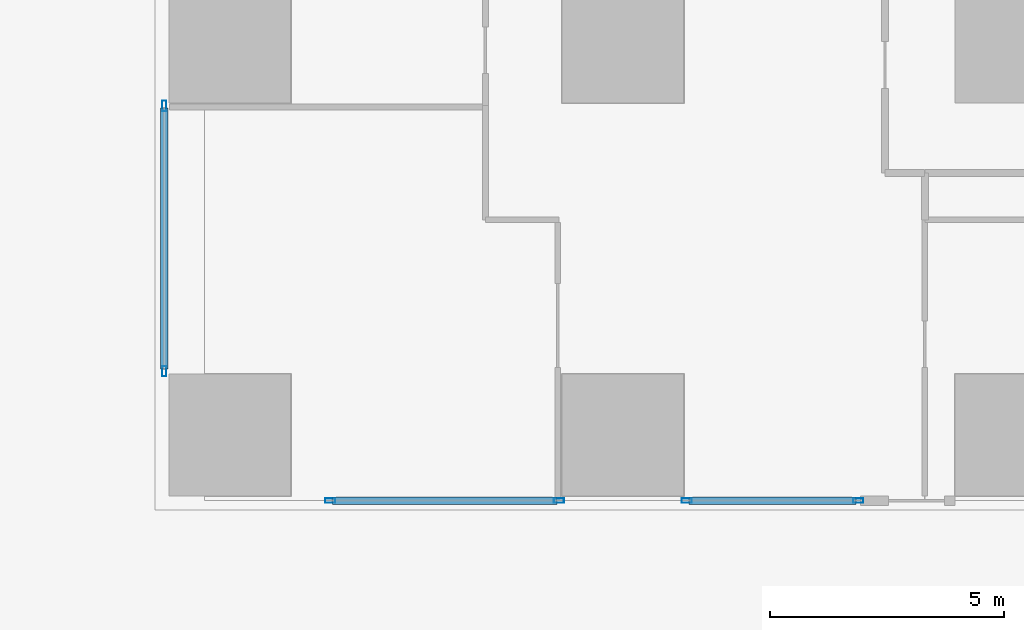
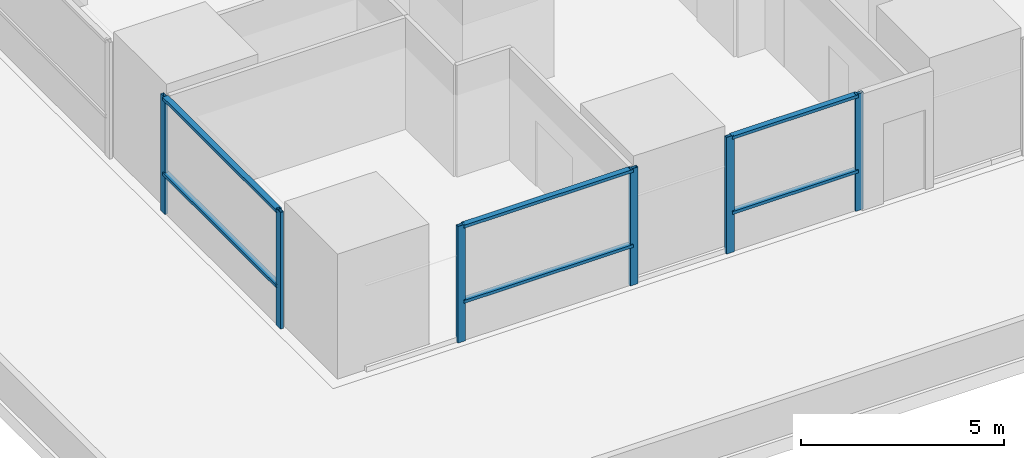
# One storey, part 2 of 35: 12 members, 3 elements without a shape of their own.
"""IFC4 building model written with IfcOpenShell, lengths in metres."""

from ifc_helpers import new_model, si_unit, direction, frame, origin, origin_2d, place, context, subcontext, project, spatial, hollow_rectangle, extrude, material, material_profile, profile_set, type_object, element, aggregate, save


model = new_model("IFC4")

# Units and contexts
model_context = context("Model", 3, precision=1e-05, world=origin(), true_north=direction((0.0, 1.0)))
body_context = subcontext(model_context, "Body", "Model", "MODEL_VIEW")
ifc_project = project(units=[si_unit("LENGTHUNIT", "METRE"), si_unit("AREAUNIT", "SQUARE_METRE"), si_unit("VOLUMEUNIT", "CUBIC_METRE"), si_unit("PLANEANGLEUNIT", "RADIAN"), si_unit("MASSUNIT", "GRAM", prefix="KILO")], contexts=[model_context])

# Site, building, storey
site_placement = place(None, origin())
site = spatial("IfcSite", under=ifc_project, at=site_placement, CompositionType="ELEMENT")
building_placement = place(site_placement, origin())
building = spatial("IfcBuilding", under=site, at=building_placement, Name="Rekha Terrace Tower", CompositionType="ELEMENT")
storey_placement = place(building_placement, frame((0.0, 0.0, 25.39990234375)))
storey = spatial("IfcBuildingStorey", under=building, at=storey_placement, Name="L05", CompositionType="ELEMENT", Elevation=25.39990234375)

# Curtain wall, members
ifc_material_1 = material(Name="Aluminium framing", Category="aluminium")
curtain_wall_type = type_object("IfcCurtainWallType", Name="CW5 sky garden glazing", PredefinedType="USERDEFINED", material=ifc_material_1)
curtain_wall_1_placement = place(storey_placement, origin())
curtain_wall_1 = element("IfcCurtainWall", 1, at=curtain_wall_1_placement, inside=storey, type_object=curtain_wall_type, Name="CW5 sky garden curtain wall", ObjectType="SKY GARDEN CURTAIN WALL", PredefinedType="USERDEFINED")
ifc_material_2 = material(Name="Aluminium mullion section", Category="aluminium")
ifc_material_profile_1 = material_profile(ifc_material_2, hollow_rectangle(XDim=0.090087890625, YDim=0.219970703125, WallThickness=0.00390625, at=origin_2d()), Name="AL RHS 90x220")
ifc_profile_set_1 = profile_set([ifc_material_profile_1], Name="Aluminium mullion section")
member_type_1 = type_object("IfcMemberType", Name="CW5 mullion RHS 90 x 220", PredefinedType="MULLION", material=ifc_profile_set_1)
member_1_placement = place(storey_placement, frame((10.544921875, 7.0, 0.0), z_axis=(0.0, 0.0, 1.0), x_axis=(0.0, 1.0, 0.0)))
member_1 = element("IfcMember", 2, at=member_1_placement, type_object=member_type_1, Name="CW5 mullion 1", PredefinedType="MULLION", context=body_context, shape_type="SweptSolid", body=[
    extrude(hollow_rectangle(XDim=0.090087890625, YDim=0.219970703125, WallThickness=0.00390625, at=origin_2d()), origin(), (0.0, 0.0, 1.0), 3.5),
])
member_2_placement = place(storey_placement, frame((15.43505859375, 7.0, 0.0), z_axis=(0.0, 0.0, 1.0), x_axis=(0.0, 1.0, 0.0)))
member_2 = element("IfcMember", 3, at=member_2_placement, type_object=member_type_1, Name="CW5 mullion 2", PredefinedType="MULLION", context=body_context, shape_type="SweptSolid", body=[
    extrude(hollow_rectangle(XDim=0.090087890625, YDim=0.219970703125, WallThickness=0.00390625, at=origin_2d()), origin(), (0.0, 0.0, 1.0), 3.5),
])

curtain_wall_2_placement = place(storey_placement, origin())
curtain_wall_2 = element("IfcCurtainWall", 4, at=curtain_wall_2_placement, inside=storey, type_object=curtain_wall_type, Name="CW5 sky garden curtain wall", ObjectType="SKY GARDEN CURTAIN WALL", PredefinedType="USERDEFINED")
member_3_placement = place(storey_placement, frame((18.1650390625, 7.0, 0.0), z_axis=(0.0, 0.0, 1.0), x_axis=(0.0, 1.0, 0.0)))
member_3 = element("IfcMember", 5, at=member_3_placement, type_object=member_type_1, Name="CW5 mullion 1", PredefinedType="MULLION", context=body_context, shape_type="SweptSolid", body=[
    extrude(hollow_rectangle(XDim=0.090087890625, YDim=0.219970703125, WallThickness=0.00390625, at=origin_2d()), origin(), (0.0, 0.0, 1.0), 3.5),
])
member_4_placement = place(storey_placement, frame((21.830078125, 7.0, 0.0), z_axis=(0.0, 0.0, 1.0), x_axis=(0.0, 1.0, 0.0)))
member_4 = element("IfcMember", 6, at=member_4_placement, type_object=member_type_1, Name="CW5 mullion 2", PredefinedType="MULLION", context=body_context, shape_type="SweptSolid", body=[
    extrude(hollow_rectangle(XDim=0.090087890625, YDim=0.219970703125, WallThickness=0.00390625, at=origin_2d()), origin(), (0.0, 0.0, 1.0), 3.5),
])

curtain_wall_3_placement = place(storey_placement, origin())
curtain_wall_3 = element("IfcCurtainWall", 7, at=curtain_wall_3_placement, inside=storey, type_object=curtain_wall_type, Name="CW5 sky garden curtain wall", ObjectType="SKY GARDEN CURTAIN WALL", PredefinedType="USERDEFINED")
member_5_placement = place(storey_placement, frame((7.0, 15.43505859375, 0.0), z_axis=(0.0, 0.0, 1.0), x_axis=(1.0, 0.0, 0.0)))
member_5 = element("IfcMember", 8, at=member_5_placement, type_object=member_type_1, Name="CW5 mullion 1", PredefinedType="MULLION", context=body_context, shape_type="SweptSolid", body=[
    extrude(hollow_rectangle(XDim=0.090087890625, YDim=0.219970703125, WallThickness=0.00390625, at=origin_2d()), origin(), (0.0, 0.0, 1.0), 3.5),
])
member_6_placement = place(storey_placement, frame((7.0, 9.764892578125, 0.0), z_axis=(0.0, 0.0, 1.0), x_axis=(1.0, 0.0, 0.0)))
member_6 = element("IfcMember", 9, at=member_6_placement, type_object=member_type_1, Name="CW5 mullion 2", PredefinedType="MULLION", context=body_context, shape_type="SweptSolid", body=[
    extrude(hollow_rectangle(XDim=0.090087890625, YDim=0.219970703125, WallThickness=0.00390625, at=origin_2d()), origin(), (0.0, 0.0, 1.0), 3.5),
])

# Member
ifc_material_3 = material(Name="Aluminium transom section", Category="aluminium")
ifc_material_profile_2 = material_profile(ifc_material_3, hollow_rectangle(XDim=0.159912109375, YDim=0.090087890625, WallThickness=0.0029296875, at=origin_2d()), Name="AL RHS 160x90")
ifc_profile_set_2 = profile_set([ifc_material_profile_2], Name="Aluminium transom section")
member_type_2 = type_object("IfcMemberType", Name="CW5 transom RHS 90 x 160", PredefinedType="USERDEFINED", material=ifc_profile_set_2)
member_7_placement = place(storey_placement, frame((10.590087890625, 7.0, 1.2001953125), z_axis=(1.0, 0.0, 0.0), x_axis=(0.0, 1.0, 0.0)))
member_7 = element("IfcMember", 10, at=member_7_placement, type_object=member_type_2, Name="CW5 transom 1.2", ObjectType="TRANSOM", PredefinedType="USERDEFINED", context=body_context, shape_type="SweptSolid", body=[
    extrude(hollow_rectangle(XDim=0.159912109375, YDim=0.090087890625, WallThickness=0.0029296875, at=origin_2d()), origin(), (0.0, 0.0, 1.0), 4.7998046875),
])

member_8_placement = place(storey_placement, frame((10.590087890625, 7.0, 3.455078125), z_axis=(1.0, 0.0, 0.0), x_axis=(0.0, 1.0, 0.0)))
member_8 = element("IfcMember", 11, at=member_8_placement, type_object=member_type_2, Name="CW5 transom 1.3", ObjectType="TRANSOM", PredefinedType="USERDEFINED", context=body_context, shape_type="SweptSolid", body=[
    extrude(hollow_rectangle(XDim=0.159912109375, YDim=0.090087890625, WallThickness=0.0029296875, at=origin_2d()), origin(), (0.0, 0.0, 1.0), 4.7998046875),
])

aggregate(curtain_wall_1, [member_1, member_2, member_7, member_8])

member_9_placement = place(storey_placement, frame((18.2099609375, 7.0, 1.2001953125), z_axis=(1.0, 0.0, 0.0), x_axis=(0.0, 1.0, 0.0)))
member_9 = element("IfcMember", 12, at=member_9_placement, type_object=member_type_2, Name="CW5 transom 1.2", ObjectType="TRANSOM", PredefinedType="USERDEFINED", context=body_context, shape_type="SweptSolid", body=[
    extrude(hollow_rectangle(XDim=0.159912109375, YDim=0.090087890625, WallThickness=0.0029296875, at=origin_2d()), origin(), (0.0, 0.0, 1.0), 3.574951171875),
])

member_10_placement = place(storey_placement, frame((18.2099609375, 7.0, 3.455078125), z_axis=(1.0, 0.0, 0.0), x_axis=(0.0, 1.0, 0.0)))
member_10 = element("IfcMember", 13, at=member_10_placement, type_object=member_type_2, Name="CW5 transom 1.3", ObjectType="TRANSOM", PredefinedType="USERDEFINED", context=body_context, shape_type="SweptSolid", body=[
    extrude(hollow_rectangle(XDim=0.159912109375, YDim=0.090087890625, WallThickness=0.0029296875, at=origin_2d()), origin(), (0.0, 0.0, 1.0), 3.574951171875),
])

aggregate(curtain_wall_2, [member_3, member_4, member_9, member_10])

member_11_placement = place(storey_placement, frame((7.0, 15.389892578125, 1.2001953125), z_axis=(0.0, -1.0, 0.0), x_axis=(1.0, 0.0, 0.0)))
member_11 = element("IfcMember", 14, at=member_11_placement, type_object=member_type_2, Name="CW5 transom 1.2", ObjectType="TRANSOM", PredefinedType="USERDEFINED", context=body_context, shape_type="SweptSolid", body=[
    extrude(hollow_rectangle(XDim=0.159912109375, YDim=0.090087890625, WallThickness=0.0029296875, at=origin_2d()), origin(), (0.0, 0.0, 1.0), 5.579833984375),
])

member_12_placement = place(storey_placement, frame((7.0, 15.389892578125, 3.455078125), z_axis=(0.0, -1.0, 0.0), x_axis=(1.0, 0.0, 0.0)))
member_12 = element("IfcMember", 15, at=member_12_placement, type_object=member_type_2, Name="CW5 transom 1.3", ObjectType="TRANSOM", PredefinedType="USERDEFINED", context=body_context, shape_type="SweptSolid", body=[
    extrude(hollow_rectangle(XDim=0.159912109375, YDim=0.090087890625, WallThickness=0.0029296875, at=origin_2d()), origin(), (0.0, 0.0, 1.0), 5.579833984375),
])

aggregate(curtain_wall_3, [member_5, member_6, member_11, member_12])

save(model, "model.ifc")
